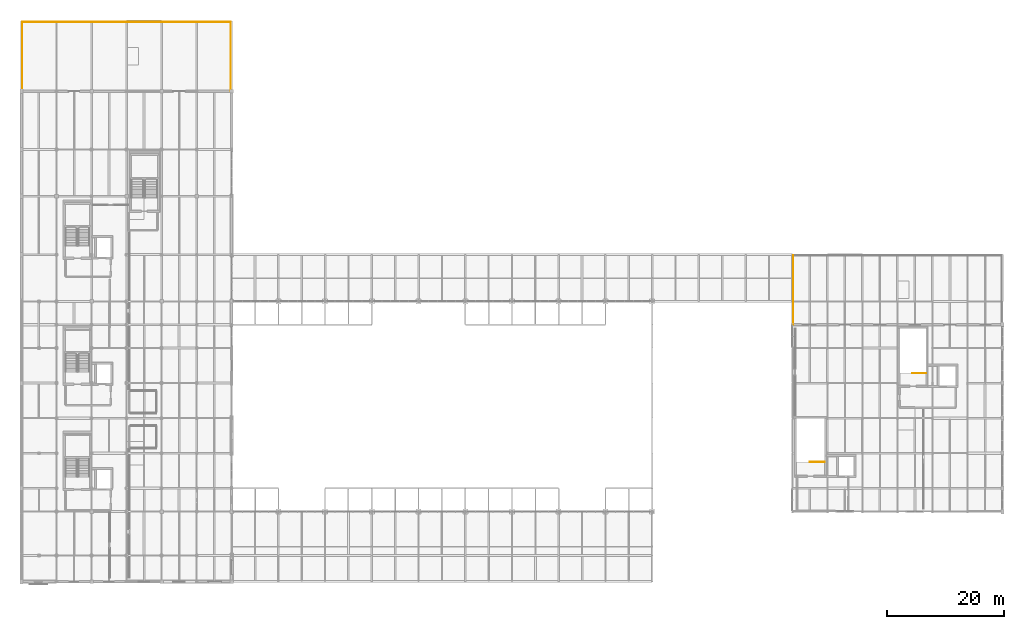
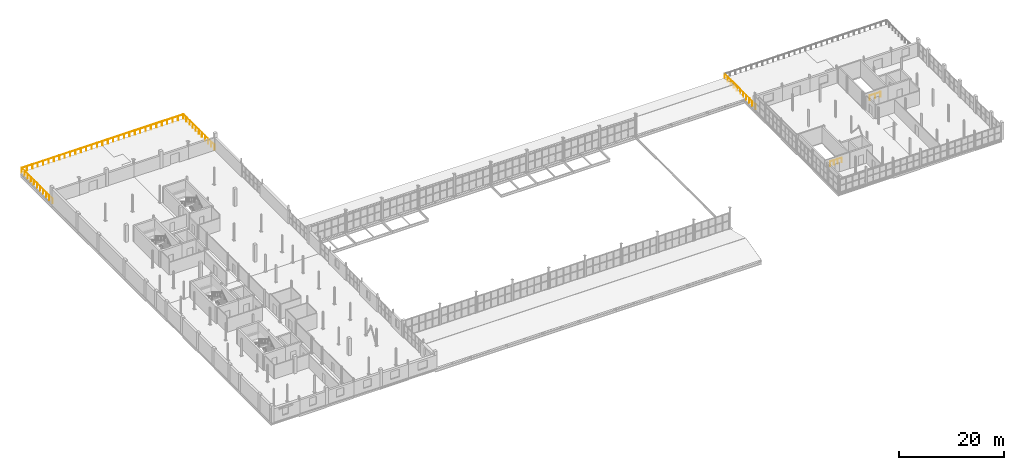
# One storey, part 95 of 96: 6 railings.
"""IFC4 building model written with IfcOpenShell, lengths in metres."""

from ifc_helpers import new_model, si_unit, direction, frame, origin, origin_2d, place, context, subcontext, project, spatial, circle, extrude, material, type_object, element, save


model = new_model("IFC4")

# Units and contexts
model_context = context("Model", 3, precision=1e-05, world=origin(), true_north=direction((0.0, 1.0)))
body_context = subcontext(model_context, "Body", "Model", "MODEL_VIEW")
ifc_project = project(units=[si_unit("LENGTHUNIT", "METRE"), si_unit("AREAUNIT", "SQUARE_METRE"), si_unit("VOLUMEUNIT", "CUBIC_METRE"), si_unit("PLANEANGLEUNIT", "RADIAN"), si_unit("MASSUNIT", "GRAM", prefix="KILO")], contexts=[model_context])

# Site, building, storey
site_placement = place(None, origin())
site = spatial("IfcSite", under=ifc_project, at=site_placement, CompositionType="ELEMENT")
building_placement = place(site_placement, origin())
building = spatial("IfcBuilding", under=site, at=building_placement, Name="Verrall Gate Interchange", CompositionType="ELEMENT")
storey_placement = place(building_placement, frame((0.0, 0.0, 11.39990234375)))
storey = spatial("IfcBuildingStorey", under=building, at=storey_placement, Name="L03", CompositionType="ELEMENT", Elevation=11.39990234375)

# Railings
ifc_material_1 = material(Name="Tyndall Dolomitic Limestone Ashlar Cavity Assembly (U=0.18)", Category="masonry")
railing_type_1 = type_object("IfcRailingType", Name="BL-01 Classical Stone Balustrade 1120", PredefinedType="BALUSTRADE", material=ifc_material_1)
railing_1_placement = place(storey_placement, frame((35.85009765625, 95.85009765625, 0.0)))
element("IfcRailing", 1, at=railing_1_placement, inside=storey, type_object=railing_type_1, Name="L03 Planted Roof Garden Guardrail 03", PredefinedType="BALUSTRADE", context=body_context, shape_type="SweptSolid", body=[
    extrude(circle(Radius=0.02392578125, at=origin_2d()), frame((0.0, 0.0, 1.09619140625), z_axis=(0.0, -1.0, 0.0), x_axis=(1.0, 0.0, 0.0)), (0.0, 0.0, 1.0), 11.85009765625),
    extrude(circle(Radius=0.02099609375, at=origin_2d()), origin(), (0.0, 0.0, 1.0), 1.072021484375),
    extrude(circle(Radius=0.02099609375, at=origin_2d()), frame((0.0, -1.18505859375, 0.0)), (0.0, 0.0, 1.0), 1.072021484375),
    extrude(circle(Radius=0.02099609375, at=origin_2d()), frame((0.0, -2.3701171875, 0.0)), (0.0, 0.0, 1.0), 1.072021484375),
    extrude(circle(Radius=0.02099609375, at=origin_2d()), frame((0.0, -3.554931640625, 0.0)), (0.0, 0.0, 1.0), 1.072021484375),
    extrude(circle(Radius=0.02099609375, at=origin_2d()), frame((0.0, -4.739990234375, 0.0)), (0.0, 0.0, 1.0), 1.072021484375),
    extrude(circle(Radius=0.02099609375, at=origin_2d()), frame((0.0, -5.925048828125, 0.0)), (0.0, 0.0, 1.0), 1.072021484375),
    extrude(circle(Radius=0.02099609375, at=origin_2d()), frame((0.0, -7.110107421875, 0.0)), (0.0, 0.0, 1.0), 1.072021484375),
    extrude(circle(Radius=0.02099609375, at=origin_2d()), frame((0.0, -8.295166015625, 0.0)), (0.0, 0.0, 1.0), 1.072021484375),
    extrude(circle(Radius=0.02099609375, at=origin_2d()), frame((0.0, -9.47998046875, 0.0)), (0.0, 0.0, 1.0), 1.072021484375),
    extrude(circle(Radius=0.02099609375, at=origin_2d()), frame((0.0, -10.6650390625, 0.0)), (0.0, 0.0, 1.0), 1.072021484375),
    extrude(circle(Radius=0.02099609375, at=origin_2d()), frame((0.0, -11.85009765625, 0.0)), (0.0, 0.0, 1.0), 1.072021484375),
])
ifc_material_2 = material(Name="Architectural Bronze Anodized Aluminium Guardrail Assembly", Category="aluminium")
railing_type_2 = type_object("IfcRailingType", Name="GR-01 Roof Terrace Guardrail 1100", PredefinedType="GUARDRAIL", material=ifc_material_2)
railing_2_placement = place(storey_placement, frame((0.14990234375, 84.0, 0.0)))
element("IfcRailing", 2, at=railing_2_placement, inside=storey, type_object=railing_type_2, Name="L03 Planted Roof Garden Guardrail 01", PredefinedType="GUARDRAIL", context=body_context, shape_type="SweptSolid", body=[
    extrude(circle(Radius=0.02392578125, at=origin_2d()), frame((0.0, 0.0, 1.076171875), z_axis=(0.0, 1.0, 0.0), x_axis=(-1.0, 0.0, 0.0)), (0.0, 0.0, 1.0), 11.85009765625),
    extrude(circle(Radius=0.02099609375, at=origin_2d()), origin(), (0.0, 0.0, 1.0), 1.052001953125),
    extrude(circle(Radius=0.02099609375, at=origin_2d()), frame((0.0, 1.18505859375, 0.0)), (0.0, 0.0, 1.0), 1.052001953125),
    extrude(circle(Radius=0.02099609375, at=origin_2d()), frame((0.0, 2.3701171875, 0.0)), (0.0, 0.0, 1.0), 1.052001953125),
    extrude(circle(Radius=0.02099609375, at=origin_2d()), frame((0.0, 3.554931640625, 0.0)), (0.0, 0.0, 1.0), 1.052001953125),
    extrude(circle(Radius=0.02099609375, at=origin_2d()), frame((0.0, 4.739990234375, 0.0)), (0.0, 0.0, 1.0), 1.052001953125),
    extrude(circle(Radius=0.02099609375, at=origin_2d()), frame((0.0, 5.925048828125, 0.0)), (0.0, 0.0, 1.0), 1.052001953125),
    extrude(circle(Radius=0.02099609375, at=origin_2d()), frame((0.0, 7.110107421875, 0.0)), (0.0, 0.0, 1.0), 1.052001953125),
    extrude(circle(Radius=0.02099609375, at=origin_2d()), frame((0.0, 8.295166015625, 0.0)), (0.0, 0.0, 1.0), 1.052001953125),
    extrude(circle(Radius=0.02099609375, at=origin_2d()), frame((0.0, 9.47998046875, 0.0)), (0.0, 0.0, 1.0), 1.052001953125),
    extrude(circle(Radius=0.02099609375, at=origin_2d()), frame((0.0, 10.6650390625, 0.0)), (0.0, 0.0, 1.0), 1.052001953125),
    extrude(circle(Radius=0.02099609375, at=origin_2d()), frame((0.0, 11.85009765625, 0.0)), (0.0, 0.0, 1.0), 1.052001953125),
])
railing_3_placement = place(storey_placement, frame((0.14990234375, 95.85009765625, 0.0)))
element("IfcRailing", 3, at=railing_3_placement, inside=storey, type_object=railing_type_2, Name="L03 Planted Roof Garden Guardrail 02", PredefinedType="GUARDRAIL", context=body_context, shape_type="SweptSolid", body=[
    extrude(circle(Radius=0.02392578125, at=origin_2d()), frame((0.0, 0.0, 1.076171875), z_axis=(1.0, 0.0, 0.0), x_axis=(0.0, 1.0, 0.0)), (0.0, 0.0, 1.0), 35.7001953125),
    extrude(circle(Radius=0.02099609375, at=origin_2d()), origin(), (0.0, 0.0, 1.0), 1.052001953125),
    extrude(circle(Radius=0.02099609375, at=origin_2d()), frame((1.18994140625, 0.0, 0.0)), (0.0, 0.0, 1.0), 1.052001953125),
    extrude(circle(Radius=0.02099609375, at=origin_2d()), frame((2.380126953125, 0.0, 0.0)), (0.0, 0.0, 1.0), 1.052001953125),
    extrude(circle(Radius=0.02099609375, at=origin_2d()), frame((3.570068359375, 0.0, 0.0)), (0.0, 0.0, 1.0), 1.052001953125),
    extrude(circle(Radius=0.02099609375, at=origin_2d()), frame((4.760009765625, 0.0, 0.0)), (0.0, 0.0, 1.0), 1.052001953125),
    extrude(circle(Radius=0.02099609375, at=origin_2d()), frame((5.949951171875, 0.0, 0.0)), (0.0, 0.0, 1.0), 1.052001953125),
    extrude(circle(Radius=0.02099609375, at=origin_2d()), frame((7.14013671875, 0.0, 0.0)), (0.0, 0.0, 1.0), 1.052001953125),
    extrude(circle(Radius=0.02099609375, at=origin_2d()), frame((8.330078125, 0.0, 0.0)), (0.0, 0.0, 1.0), 1.052001953125),
    extrude(circle(Radius=0.02099609375, at=origin_2d()), frame((9.52001953125, 0.0, 0.0)), (0.0, 0.0, 1.0), 1.052001953125),
    extrude(circle(Radius=0.02099609375, at=origin_2d()), frame((10.7099609375, 0.0, 0.0)), (0.0, 0.0, 1.0), 1.052001953125),
    extrude(circle(Radius=0.02099609375, at=origin_2d()), frame((11.900146484375, 0.0, 0.0)), (0.0, 0.0, 1.0), 1.052001953125),
    extrude(circle(Radius=0.02099609375, at=origin_2d()), frame((13.090087890625, 0.0, 0.0)), (0.0, 0.0, 1.0), 1.052001953125),
    extrude(circle(Radius=0.02099609375, at=origin_2d()), frame((14.280029296875, 0.0, 0.0)), (0.0, 0.0, 1.0), 1.052001953125),
    extrude(circle(Radius=0.02099609375, at=origin_2d()), frame((15.469970703125, 0.0, 0.0)), (0.0, 0.0, 1.0), 1.052001953125),
    extrude(circle(Radius=0.02099609375, at=origin_2d()), frame((16.66015625, 0.0, 0.0)), (0.0, 0.0, 1.0), 1.052001953125),
    extrude(circle(Radius=0.02099609375, at=origin_2d()), frame((17.85009765625, 0.0, 0.0)), (0.0, 0.0, 1.0), 1.052001953125),
    extrude(circle(Radius=0.02099609375, at=origin_2d()), frame((19.0400390625, 0.0, 0.0)), (0.0, 0.0, 1.0), 1.052001953125),
    extrude(circle(Radius=0.02099609375, at=origin_2d()), frame((20.230224609375, 0.0, 0.0)), (0.0, 0.0, 1.0), 1.052001953125),
    extrude(circle(Radius=0.02099609375, at=origin_2d()), frame((21.420166015625, 0.0, 0.0)), (0.0, 0.0, 1.0), 1.052001953125),
    extrude(circle(Radius=0.02099609375, at=origin_2d()), frame((22.610107421875, 0.0, 0.0)), (0.0, 0.0, 1.0), 1.052001953125),
    extrude(circle(Radius=0.02099609375, at=origin_2d()), frame((23.800048828125, 0.0, 0.0)), (0.0, 0.0, 1.0), 1.052001953125),
    extrude(circle(Radius=0.02099609375, at=origin_2d()), frame((24.990234375, 0.0, 0.0)), (0.0, 0.0, 1.0), 1.052001953125),
    extrude(circle(Radius=0.02099609375, at=origin_2d()), frame((26.18017578125, 0.0, 0.0)), (0.0, 0.0, 1.0), 1.052001953125),
    extrude(circle(Radius=0.02099609375, at=origin_2d()), frame((27.3701171875, 0.0, 0.0)), (0.0, 0.0, 1.0), 1.052001953125),
    extrude(circle(Radius=0.02099609375, at=origin_2d()), frame((28.56005859375, 0.0, 0.0)), (0.0, 0.0, 1.0), 1.052001953125),
    extrude(circle(Radius=0.02099609375, at=origin_2d()), frame((29.750244140625, 0.0, 0.0)), (0.0, 0.0, 1.0), 1.052001953125),
    extrude(circle(Radius=0.02099609375, at=origin_2d()), frame((30.940185546875, 0.0, 0.0)), (0.0, 0.0, 1.0), 1.052001953125),
    extrude(circle(Radius=0.02099609375, at=origin_2d()), frame((32.130126953125, 0.0, 0.0)), (0.0, 0.0, 1.0), 1.052001953125),
    extrude(circle(Radius=0.02099609375, at=origin_2d()), frame((33.320068359375, 0.0, 0.0)), (0.0, 0.0, 1.0), 1.052001953125),
    extrude(circle(Radius=0.02099609375, at=origin_2d()), frame((34.51025390625, 0.0, 0.0)), (0.0, 0.0, 1.0), 1.052001953125),
    extrude(circle(Radius=0.02099609375, at=origin_2d()), frame((35.7001953125, 0.0, 0.0)), (0.0, 0.0, 1.0), 1.052001953125),
])
railing_4_placement = place(storey_placement, frame((132.14990234375, 44.0, 0.0)))
element("IfcRailing", 4, at=railing_4_placement, inside=storey, type_object=railing_type_2, Name="L03 Planted Roof Garden Guardrail 04", PredefinedType="GUARDRAIL", context=body_context, shape_type="SweptSolid", body=[
    extrude(circle(Radius=0.02392578125, at=origin_2d()), frame((0.0, 0.0, 1.076171875), z_axis=(0.0, 1.0, 0.0), x_axis=(-1.0, 0.0, 0.0)), (0.0, 0.0, 1.0), 11.85009765625),
    extrude(circle(Radius=0.02099609375, at=origin_2d()), origin(), (0.0, 0.0, 1.0), 1.052001953125),
    extrude(circle(Radius=0.02099609375, at=origin_2d()), frame((0.0, 1.18505859375, 0.0)), (0.0, 0.0, 1.0), 1.052001953125),
    extrude(circle(Radius=0.02099609375, at=origin_2d()), frame((0.0, 2.3701171875, 0.0)), (0.0, 0.0, 1.0), 1.052001953125),
    extrude(circle(Radius=0.02099609375, at=origin_2d()), frame((0.0, 3.554931640625, 0.0)), (0.0, 0.0, 1.0), 1.052001953125),
    extrude(circle(Radius=0.02099609375, at=origin_2d()), frame((0.0, 4.739990234375, 0.0)), (0.0, 0.0, 1.0), 1.052001953125),
    extrude(circle(Radius=0.02099609375, at=origin_2d()), frame((0.0, 5.925048828125, 0.0)), (0.0, 0.0, 1.0), 1.052001953125),
    extrude(circle(Radius=0.02099609375, at=origin_2d()), frame((0.0, 7.110107421875, 0.0)), (0.0, 0.0, 1.0), 1.052001953125),
    extrude(circle(Radius=0.02099609375, at=origin_2d()), frame((0.0, 8.295166015625, 0.0)), (0.0, 0.0, 1.0), 1.052001953125),
    extrude(circle(Radius=0.02099609375, at=origin_2d()), frame((0.0, 9.47998046875, 0.0)), (0.0, 0.0, 1.0), 1.052001953125),
    extrude(circle(Radius=0.02099609375, at=origin_2d()), frame((0.0, 10.6650390625, 0.0)), (0.0, 0.0, 1.0), 1.052001953125),
    extrude(circle(Radius=0.02099609375, at=origin_2d()), frame((0.0, 11.85009765625, 0.0)), (0.0, 0.0, 1.0), 1.052001953125),
])
ifc_material_3 = material(Name="Brushed Stainless-Steel Guardrail and Handrail System", Category="steel")
railing_type_3 = type_object("IfcRailingType", Name="GR-02 Interior Atrium and Stair Guardrail 1100", PredefinedType="GUARDRAIL", material=ifc_material_3)
railing_5_placement = place(storey_placement, frame((137.5400390625, 20.47998046875, 0.0)))
element("IfcRailing", 5, at=railing_5_placement, inside=storey, type_object=railing_type_3, Name="L03 ST-08 top well guard 1", PredefinedType="GUARDRAIL", context=body_context, shape_type="SweptSolid", body=[
    extrude(circle(Radius=0.02392578125, at=origin_2d()), frame((0.0, 0.0, 1.076171875), z_axis=(-1.0, 0.0, 0.0), x_axis=(0.0, -1.0, 0.0)), (0.0, 0.0, 1.0), 2.530029296875),
    extrude(circle(Radius=0.02099609375, at=origin_2d()), origin(), (0.0, 0.0, 1.0), 1.052001953125),
    extrude(circle(Radius=0.02099609375, at=origin_2d()), frame((-0.84326171875, 0.0, 0.0)), (0.0, 0.0, 1.0), 1.052001953125),
    extrude(circle(Radius=0.02099609375, at=origin_2d()), frame((-1.686767578125, 0.0, 0.0)), (0.0, 0.0, 1.0), 1.052001953125),
    extrude(circle(Radius=0.02099609375, at=origin_2d()), frame((-2.530029296875, 0.0, 0.0)), (0.0, 0.0, 1.0), 1.052001953125),
])
railing_6_placement = place(storey_placement, frame((154.89990234375, 35.699951171875, 0.0)))
element("IfcRailing", 6, at=railing_6_placement, inside=storey, type_object=railing_type_3, Name="L03 ST-09 top well guard 1", PredefinedType="GUARDRAIL", context=body_context, shape_type="SweptSolid", body=[
    extrude(circle(Radius=0.02392578125, at=origin_2d()), frame((0.0, 0.0, 1.076171875), z_axis=(-1.0, 0.0, 0.0), x_axis=(0.0, -1.0, 0.0)), (0.0, 0.0, 1.0), 2.349853515625),
    extrude(circle(Radius=0.02099609375, at=origin_2d()), origin(), (0.0, 0.0, 1.0), 1.052001953125),
    extrude(circle(Radius=0.02099609375, at=origin_2d()), frame((-1.1748046875, 0.0, 0.0)), (0.0, 0.0, 1.0), 1.052001953125),
    extrude(circle(Radius=0.02099609375, at=origin_2d()), frame((-2.349853515625, 0.0, 0.0)), (0.0, 0.0, 1.0), 1.052001953125),
])

save(model, "model.ifc")
